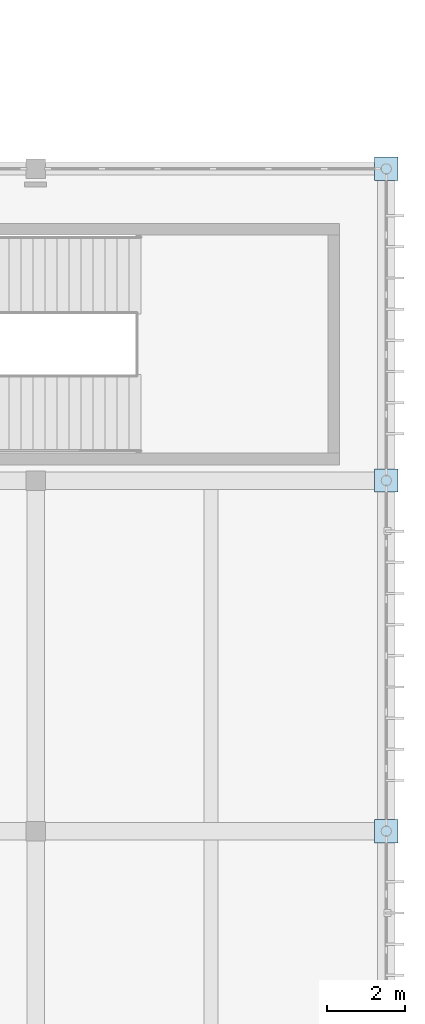
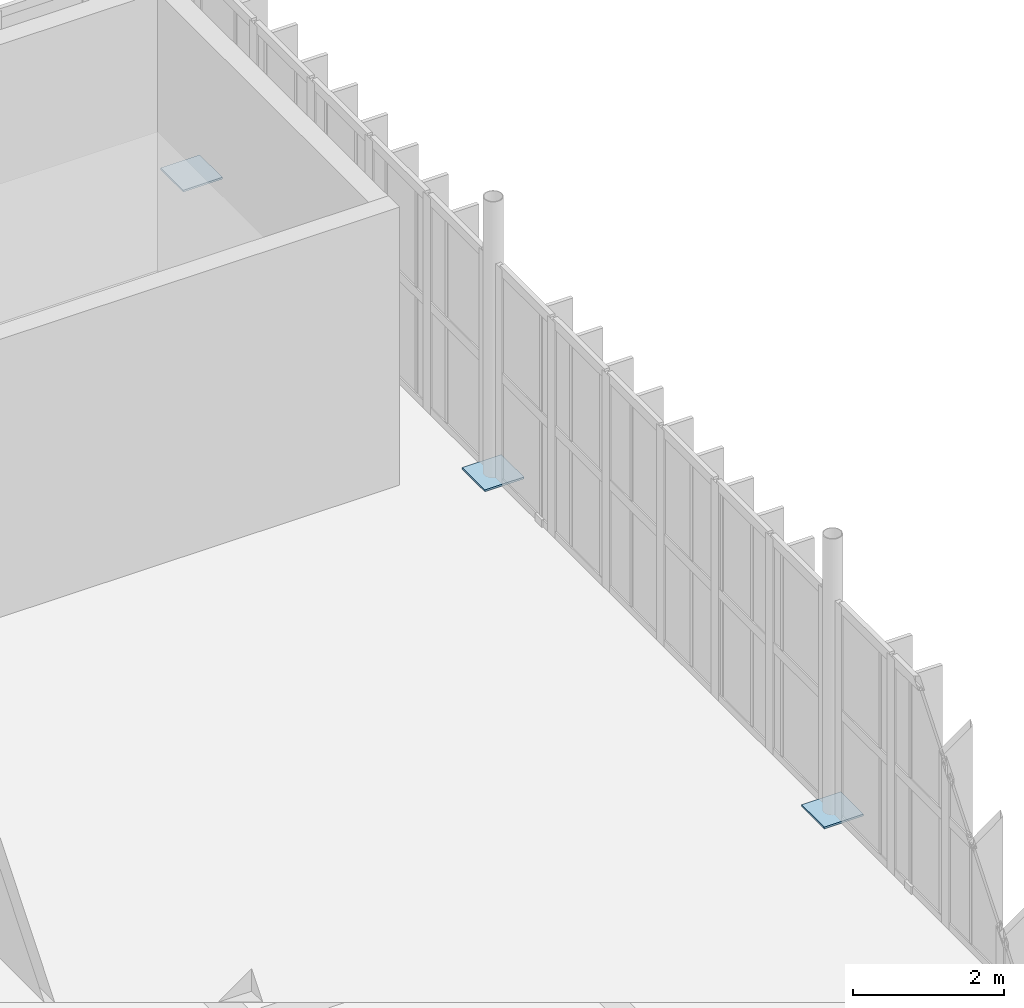
# One storey, part 50 of 81: 3 plates.
"""IFC4 building model written with IfcOpenShell, lengths in metres."""

from ifc_helpers import new_model, si_unit, direction, frame, origin, origin_2d, place, context, subcontext, project, spatial, rectangle, extrude, material, layer, layer_set, type_object, element, save


model = new_model("IFC4")

# Units and contexts
model_context = context("Model", 3, precision=1e-05, world=origin(), true_north=direction((0.0, 1.0)))
body_context = subcontext(model_context, "Body", "Model", "MODEL_VIEW")
ifc_project = project(units=[si_unit("LENGTHUNIT", "METRE"), si_unit("AREAUNIT", "SQUARE_METRE"), si_unit("VOLUMEUNIT", "CUBIC_METRE"), si_unit("PLANEANGLEUNIT", "RADIAN"), si_unit("MASSUNIT", "GRAM", prefix="KILO")], contexts=[model_context])

# Site, building, storey
site_placement = place(None, origin())
site = spatial("IfcSite", under=ifc_project, at=site_placement, CompositionType="ELEMENT")
building_placement = place(site_placement, origin())
building = spatial("IfcBuilding", under=site, at=building_placement, Name="Vourika Railside Aquatics Centre", CompositionType="ELEMENT")
storey_placement = place(building_placement, frame((0.0, 0.0, 4.800048828125)))
storey = spatial("IfcBuildingStorey", under=building, at=storey_placement, Name="L01", CompositionType="ELEMENT", Elevation=4.800048828125)

# Plates
ifc_material = material(Name="Steel S355J2", Category="steel")
ifc_layer = layer(ifc_material, 0.030029296875, Name="PLT-BASE-600x600x30")
ifc_layer_set = layer_set([ifc_layer], Name="Steel S355J2")
plate_type = type_object("IfcPlateType", Name="PLT-BASE-600x600x30", PredefinedType="USERDEFINED", material=ifc_layer_set)
for number, where, z_axis, x_axis, name in (
    (1, (168.0, 75.0, 0.0), (0.0, 0.0, 1.0), (1.0, 0.0, 0.0), "Steel Column Base Plate BP-040"),
    (2, (168.0, 84.0, 0.0), (0.0, 0.0, 1.0), (1.0, 0.0, 0.0), "Steel Column Base Plate BP-041"),
    (3, (168.0, 92.0, 0.0), (0.0, 0.0, 1.0), (1.0, 0.0, 0.0), "Steel Column Base Plate BP-042"),
):
    element("IfcPlate", number, at=place(storey_placement, frame(where, z_axis=z_axis, x_axis=x_axis)), inside=storey, type_object=plate_type, Name=name, ObjectType="BASE PLATE", PredefinedType="USERDEFINED", context=body_context, shape_type="SweptSolid", body=[
        extrude(rectangle(XDim=0.60009765625, YDim=0.60009765625, at=origin_2d()), origin(), (0.0, 0.0, 1.0), 0.030029296875),
    ])

save(model, "model.ifc")
